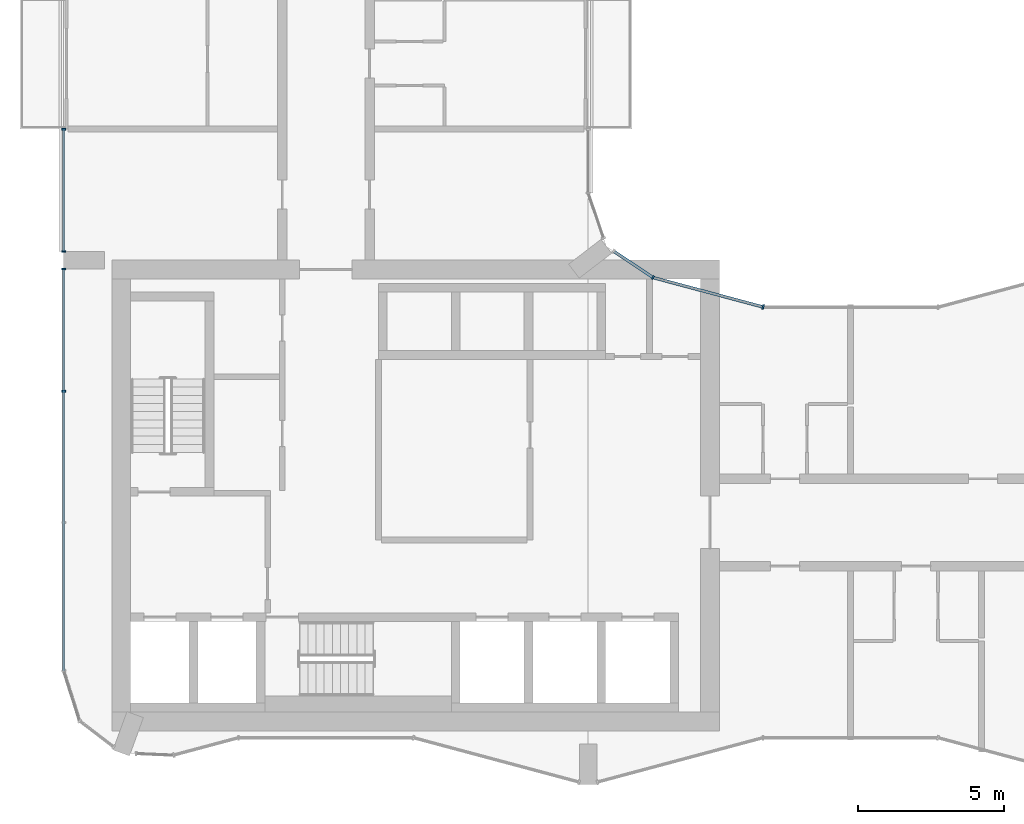
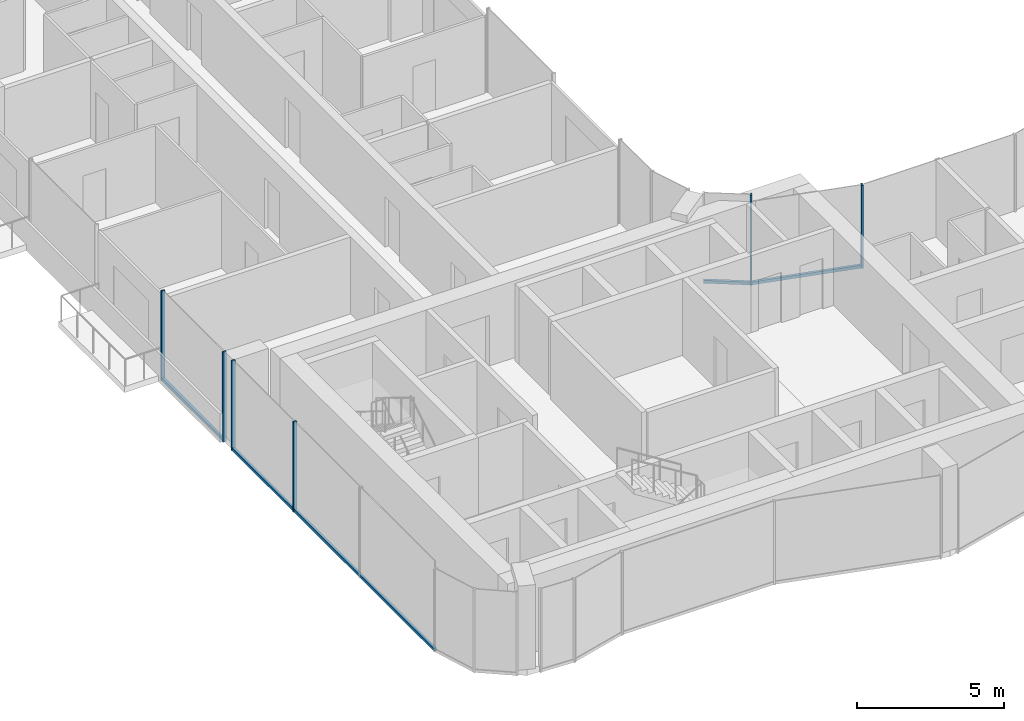
# One storey, part 3 of 19: 10 members, 4 elements without a shape of their own.
"""IFC4 building model written with IfcOpenShell, lengths in metres."""

from ifc_helpers import new_model, si_unit, direction, frame, origin, origin_2d, place, context, subcontext, project, spatial, rectangle, extrude, material, layer, layer_set, material_profile, profile_set, type_object, element, aggregate, save


model = new_model("IFC4")

# Units and contexts
model_context = context("Model", 3, precision=1e-05, world=origin(), true_north=direction((0.0, 1.0)))
body_context = subcontext(model_context, "Body", "Model", "MODEL_VIEW")
ifc_project = project(units=[si_unit("LENGTHUNIT", "METRE"), si_unit("AREAUNIT", "SQUARE_METRE"), si_unit("VOLUMEUNIT", "CUBIC_METRE"), si_unit("PLANEANGLEUNIT", "RADIAN"), si_unit("MASSUNIT", "GRAM", prefix="KILO")], contexts=[model_context])

# Site, building, storey
site_placement = place(None, origin())
site = spatial("IfcSite", under=ifc_project, at=site_placement, CompositionType="ELEMENT")
building_placement = place(site_placement, origin())
building = spatial("IfcBuilding", under=site, at=building_placement, Name="Plateau Cross Towers", CompositionType="ELEMENT")
storey_placement = place(building_placement, frame((0.0, 0.0, 120.300048828125)))
storey = spatial("IfcBuildingStorey", under=building, at=storey_placement, Name="L31", CompositionType="ELEMENT", Elevation=120.300048828125)

# Curtain wall, member
ifc_material_1 = material(Name="Dark low-iron glass", Category="glass")
ifc_layer_1 = layer(ifc_material_1, 0.239990234375)
ifc_layer_set_1 = layer_set([ifc_layer_1], Name="Dark low-iron glass")
curtain_wall_type_1 = type_object("IfcCurtainWallType", Name="Curtain wall flush unitised CW-B", PredefinedType="NOTDEFINED", material=ifc_layer_set_1)
curtain_wall_1_placement = place(storey_placement, origin())
curtain_wall_1 = element("IfcCurtainWall", 1, at=curtain_wall_1_placement, inside=storey, type_object=curtain_wall_type_1, Name="ENV/A/L31/A202_174", PredefinedType="NOTDEFINED")
ifc_material_2 = material(Name="Black anodised aluminium", Category="aluminium")
ifc_material_profile_1 = material_profile(ifc_material_2, rectangle(XDim=0.06005859375, YDim=0.139892578125, at=origin_2d()), Name="MULLION 60x140")
ifc_profile_set_1 = profile_set([ifc_material_profile_1], Name="Black anodised aluminium")
member_type_1 = type_object("IfcMemberType", Name="Mullion 60x140 flush unitised", PredefinedType="MULLION", material=ifc_profile_set_1)
member_1_placement = place(storey_placement, frame((20.223876953125, 17.404296875, -0.25), z_axis=(0.0, 0.0, 1.0), x_axis=(-0.831521253329, 0.555492938984, 0.0)))
member_1 = element("IfcMember", 2, at=member_1_placement, type_object=member_type_1, Name="CW-B mullion 1", PredefinedType="MULLION", context=body_context, shape_type="SweptSolid", body=[
    extrude(rectangle(XDim=0.06005859375, YDim=0.139892578125, at=origin_2d()), origin(), (0.0, 0.0, 1.0), 3.75),
])

# Curtain wall, members
curtain_wall_2_placement = place(storey_placement, origin())
curtain_wall_2 = element("IfcCurtainWall", 3, at=curtain_wall_2_placement, inside=storey, type_object=curtain_wall_type_1, Name="ENV/A/L31/A0_225", PredefinedType="NOTDEFINED")
member_2_placement = place(storey_placement, frame((0.0, 22.489990234375, -0.25), z_axis=(0.0, 0.0, 1.0), x_axis=(0.0, -1.0, 0.0)))
member_2 = element("IfcMember", 4, at=member_2_placement, type_object=member_type_1, Name="CW-B mullion 1", PredefinedType="MULLION", context=body_context, shape_type="SweptSolid", body=[
    extrude(rectangle(XDim=0.06005859375, YDim=0.139892578125, at=origin_2d()), origin(), (0.0, 0.0, 1.0), 3.75),
])
member_3_placement = place(storey_placement, frame((0.0, 18.300048828125, -0.25), z_axis=(0.0, 0.0, 1.0), x_axis=(0.0, -1.0, 0.0)))
member_3 = element("IfcMember", 5, at=member_3_placement, type_object=member_type_1, Name="CW-B mullion 2", PredefinedType="MULLION", context=body_context, shape_type="SweptSolid", body=[
    extrude(rectangle(XDim=0.06005859375, YDim=0.139892578125, at=origin_2d()), origin(), (0.0, 0.0, 1.0), 3.75),
])

curtain_wall_3_placement = place(storey_placement, origin())
curtain_wall_3 = element("IfcCurtainWall", 6, at=curtain_wall_3_placement, inside=storey, type_object=curtain_wall_type_1, Name="ENV/A/L31/A0_177", PredefinedType="NOTDEFINED")
member_4_placement = place(storey_placement, frame((0.0, 17.699951171875, -0.25), z_axis=(0.0, 0.0, 1.0), x_axis=(0.0, -1.0, 0.0)))
member_4 = element("IfcMember", 7, at=member_4_placement, type_object=member_type_1, Name="CW-B mullion 1", PredefinedType="MULLION", context=body_context, shape_type="SweptSolid", body=[
    extrude(rectangle(XDim=0.06005859375, YDim=0.139892578125, at=origin_2d()), origin(), (0.0, 0.0, 1.0), 3.75),
])
member_5_placement = place(storey_placement, frame((0.0, 13.5, -0.25), z_axis=(0.0, 0.0, 1.0), x_axis=(0.0, -1.0, 0.0)))
member_5 = element("IfcMember", 8, at=member_5_placement, type_object=member_type_1, Name="CW-B mullion 2", PredefinedType="MULLION", context=body_context, shape_type="SweptSolid", body=[
    extrude(rectangle(XDim=0.06005859375, YDim=0.139892578125, at=origin_2d()), origin(), (0.0, 0.0, 1.0), 3.75),
])

# Curtain wall, member
ifc_layer_2 = layer(ifc_material_1, 0.260009765625)
ifc_layer_set_2 = layer_set([ifc_layer_2], Name="Dark low-iron glass")
curtain_wall_type_2 = type_object("IfcCurtainWallType", Name="Curtain wall fluted unitised CW-A", PredefinedType="NOTDEFINED", material=ifc_layer_set_2)
curtain_wall_4_placement = place(storey_placement, origin())
curtain_wall_4 = element("IfcCurtainWall", 9, at=curtain_wall_4_placement, inside=storey, type_object=curtain_wall_type_2, Name="ENV/A/L31/A240_164", PredefinedType="NOTDEFINED")
ifc_material_profile_2 = material_profile(ifc_material_2, rectangle(XDim=0.06005859375, YDim=0.159912109375, at=origin_2d()), Name="MULLION 60x160")
ifc_profile_set_2 = profile_set([ifc_material_profile_2], Name="Black anodised aluminium")
member_type_2 = type_object("IfcMemberType", Name="Mullion 60x160 fluted unitised", PredefinedType="MULLION", material=ifc_profile_set_2)
member_6_placement = place(storey_placement, frame((24.0, 16.39306640625, -0.25), z_axis=(0.0, 0.0, 1.0), x_axis=(-0.965957995816, 0.258698956933, 0.0)))
member_6 = element("IfcMember", 10, at=member_6_placement, type_object=member_type_2, Name="CW-A mullion 1", PredefinedType="MULLION", context=body_context, shape_type="SweptSolid", body=[
    extrude(rectangle(XDim=0.06005859375, YDim=0.159912109375, at=origin_2d()), origin(), (0.0, 0.0, 1.0), 3.449951171875),
])

# Member
ifc_material_profile_3 = material_profile(ifc_material_2, rectangle(XDim=0.10009765625, YDim=0.1201171875, at=origin_2d()), Name="TRANSOM 100x120")
ifc_profile_set_3 = profile_set([ifc_material_profile_3], Name="Black anodised aluminium")
member_type_3 = type_object("IfcMemberType", Name="Transom 100x120 flush unitised", PredefinedType="USERDEFINED", material=ifc_profile_set_3)
member_7_placement = place(storey_placement, frame((20.223876953125, 17.404296875, -0.18994140625), z_axis=(-0.831496402487, 0.555530136582, 0.0), x_axis=(-0.555530136582, -0.831496402487, 0.0)))
member_7 = element("IfcMember", 11, at=member_7_placement, type_object=member_type_3, Name="CW-B transom", ObjectType="TRANSOM", PredefinedType="USERDEFINED", context=body_context, shape_type="SweptSolid", body=[
    extrude(rectangle(XDim=0.10009765625, YDim=0.1201171875, at=origin_2d()), origin(), (0.0, 0.0, 1.0), 1.628662109375),
])

aggregate(curtain_wall_1, [member_1, member_7])

member_8_placement = place(storey_placement, frame((0.0, 22.489990234375, -0.18994140625), z_axis=(0.0, -1.0, 0.0), x_axis=(1.0, 0.0, 0.0)))
member_8 = element("IfcMember", 12, at=member_8_placement, type_object=member_type_3, Name="CW-B transom", ObjectType="TRANSOM", PredefinedType="USERDEFINED", context=body_context, shape_type="SweptSolid", body=[
    extrude(rectangle(XDim=0.10009765625, YDim=0.1201171875, at=origin_2d()), origin(), (0.0, 0.0, 1.0), 4.18994140625),
])

aggregate(curtain_wall_2, [member_2, member_3, member_8])

member_9_placement = place(storey_placement, frame((0.0, 17.699951171875, -0.18994140625), z_axis=(0.0, -1.0, 0.0), x_axis=(1.0, 0.0, 0.0)))
member_9 = element("IfcMember", 13, at=member_9_placement, type_object=member_type_3, Name="CW-B transom", ObjectType="TRANSOM", PredefinedType="USERDEFINED", context=body_context, shape_type="SweptSolid", body=[
    extrude(rectangle(XDim=0.10009765625, YDim=0.1201171875, at=origin_2d()), origin(), (0.0, 0.0, 1.0), 13.790771484375),
])

aggregate(curtain_wall_3, [member_4, member_5, member_9])

ifc_material_profile_4 = material_profile(ifc_material_2, rectangle(XDim=0.10009765625, YDim=0.1201171875, at=origin_2d()), Name="TRANSOM 100x120")
ifc_profile_set_4 = profile_set([ifc_material_profile_4], Name="Black anodised aluminium")
member_type_4 = type_object("IfcMemberType", Name="Transom 100x120 fluted unitised", PredefinedType="USERDEFINED", material=ifc_profile_set_4)
member_10_placement = place(storey_placement, frame((24.0, 16.39306640625, -0.18994140625), z_axis=(-0.965962822393, 0.25868093427, 0.0), x_axis=(-0.25868093427, -0.965962822393, 0.0)))
member_10 = element("IfcMember", 14, at=member_10_placement, type_object=member_type_4, Name="CW-A transom", ObjectType="TRANSOM", PredefinedType="USERDEFINED", context=body_context, shape_type="SweptSolid", body=[
    extrude(rectangle(XDim=0.10009765625, YDim=0.1201171875, at=origin_2d()), origin(), (0.0, 0.0, 1.0), 3.9091796875),
])

aggregate(curtain_wall_4, [member_6, member_10])

save(model, "model.ifc")
